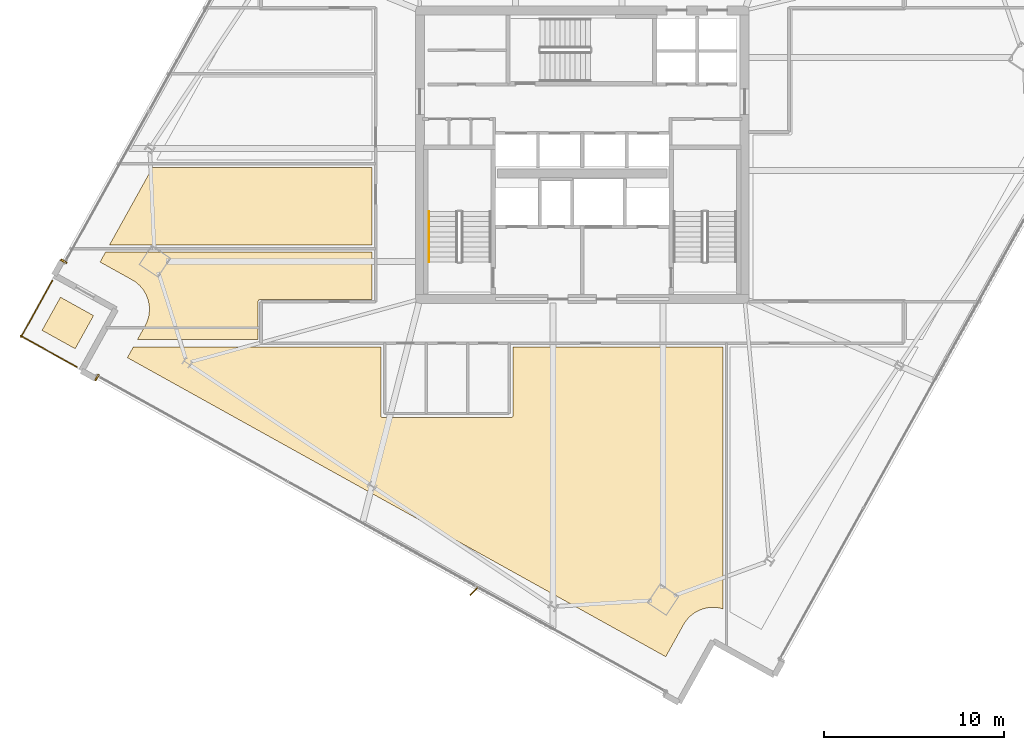
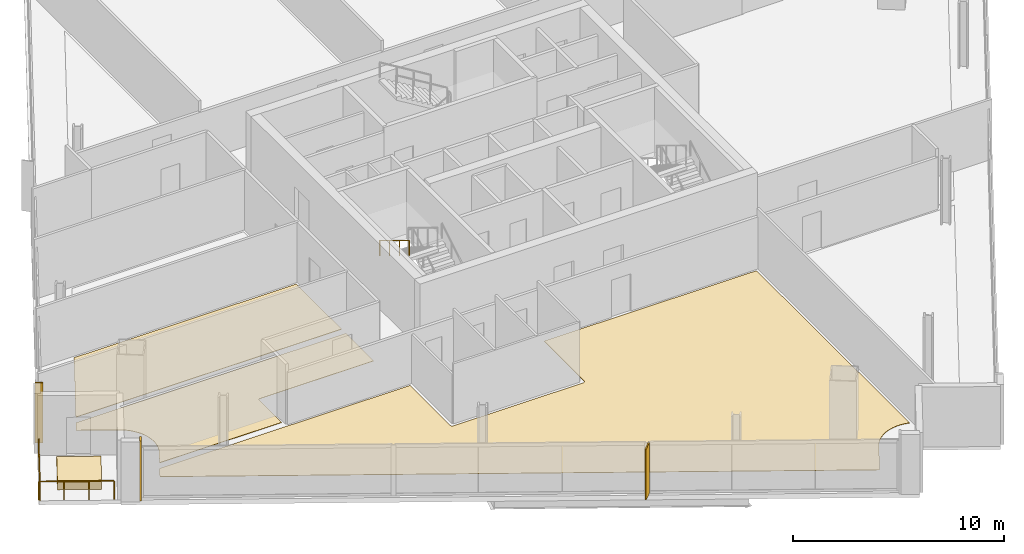
# One storey, part 24 of 28: 6 coverings, 3 railings, 1 shading device.
"""IFC4 building model written with IfcOpenShell, lengths in metres."""

from ifc_helpers import new_model, si_unit, direction, frame, origin, origin_2d, place, context, subcontext, project, spatial, polyline, rectangle, outline, extrude, source, transform, mapped, material, layer, layer_set, type_object, element, save


model = new_model("IFC4")

# Units and contexts
model_context = context("Model", 3, precision=1e-05, world=origin(), true_north=direction((0.0, 1.0)))
body_context = subcontext(model_context, "Body", "Model", "MODEL_VIEW")
ifc_project = project(units=[si_unit("LENGTHUNIT", "METRE"), si_unit("AREAUNIT", "SQUARE_METRE"), si_unit("VOLUMEUNIT", "CUBIC_METRE"), si_unit("PLANEANGLEUNIT", "RADIAN"), si_unit("MASSUNIT", "GRAM", prefix="KILO")], contexts=[model_context])

# Site, building, storey
site_placement = place(None, origin())
site = spatial("IfcSite", under=ifc_project, at=site_placement, CompositionType="ELEMENT")
building_placement = place(site_placement, origin())
building = spatial("IfcBuilding", under=site, at=building_placement, Name="Haldenkirk Collegiate Tower", CompositionType="ELEMENT")
storey_placement = place(building_placement, frame((0.0, 0.0, 232.199951171875)))
storey = spatial("IfcBuildingStorey", under=building, at=storey_placement, Name="L58", CompositionType="ELEMENT", Elevation=232.199951171875)

# Coverings
ifc_material_1 = material(Name="Polished collegiate terrazzo", Category="concrete")
ifc_layer_1 = layer(ifc_material_1, 0.02490234375)
ifc_layer_set_1 = layer_set([ifc_layer_1], Name="Polished collegiate terrazzo")
covering_type_1 = type_object("IfcCoveringType", Name="COV-FLOOR-TERRAZZO", PredefinedType="FLOORING", material=ifc_layer_set_1)
covering_1_placement = place(storey_placement, origin())
element("IfcCovering", 1, at=covering_1_placement, inside=storey, type_object=covering_type_1, Name="L58 academic room finish 08", PredefinedType="FLOORING", context=body_context, shape_type="SweptSolid", body=[
    extrude(outline(polyline([(12.183837890625, 25.300048828125), (24.35009765625, 25.300048828125), (24.35009765625, 21.0), (9.79541015625, 21.0), (12.183837890625, 25.300048828125)])), origin(), (0.0, 0.0, 1.0), 0.025146484375),
])
ifc_material_2 = material(Name="Engineered collegiate oak acoustic flooring", Category="wood")
ifc_layer_2 = layer(ifc_material_2, 0.02197265625)
ifc_layer_set_2 = layer_set([ifc_layer_2], Name="Engineered collegiate oak acoustic flooring")
covering_type_2 = type_object("IfcCoveringType", Name="COV-FLOOR-TIMBER", PredefinedType="FLOORING", material=ifc_layer_set_2)
covering_2_placement = place(storey_placement, origin())
element("IfcCovering", 2, at=covering_2_placement, inside=storey, type_object=covering_type_2, Name="L58 academic room finish 01", PredefinedType="FLOORING", context=body_context, shape_type="SweptSolid", body=[
    extrude(outline(polyline([(43.464599609375, 0.897216796875), (43.452880859375, 0.8984375), (43.281494140625, 0.90966796875), (43.269775390625, 0.909912109375), (43.09814453125, 0.904052734375), (43.08642578125, 0.9033203125), (42.916259765625, 0.880859375), (42.904541015625, 0.878662109375), (42.7373046875, 0.839599609375), (42.72607421875, 0.836181640625), (42.5634765625, 0.781005859375), (42.552490234375, 0.77685546875), (42.39599609375, 0.705810546875), (42.385498046875, 0.700439453125), (42.23681640625, 0.614501953125), (42.22705078125, 0.608154296875), (42.08740234375, 0.508056640625), (42.078125, 0.500732421875), (41.948974609375, 0.387451171875), (41.940673828125, 0.37939453125), (41.8232421875, 0.25390625), (41.815673828125, 0.2451171875), (41.711181640625, 0.108642578125), (41.704345703125, 0.09912109375), (41.61376953125, -0.046875), (41.610595703125, -0.052001953125), (40.625, -1.826416015625), (10.784423828125, 14.74853515625), (11.118408203125, 15.35009765625), (24.830078125, 15.35009765625), (24.830078125, 11.550048828125), (24.83056640625, 11.5380859375), (24.832275390625, 11.526611328125), (24.835205078125, 11.51513671875), (24.839111328125, 11.504150390625), (24.84423828125, 11.493408203125), (24.85009765625, 11.4833984375), (24.857177734375, 11.473876953125), (24.864990234375, 11.465087890625), (24.873779296875, 11.457275390625), (24.88330078125, 11.4501953125), (24.893310546875, 11.444091796875), (24.904052734375, 11.439208984375), (24.915283203125, 11.435302734375), (24.926513671875, 11.432373046875), (24.938232421875, 11.4306640625), (24.949951171875, 11.429931640625), (32.050048828125, 11.429931640625), (32.061767578125, 11.4306640625), (32.073486328125, 11.432373046875), (32.084716796875, 11.435302734375), (32.095947265625, 11.439208984375), (32.106689453125, 11.444091796875), (32.11669921875, 11.4501953125), (32.126220703125, 11.457275390625), (32.135009765625, 11.465087890625), (32.142822265625, 11.473876953125), (32.14990234375, 11.4833984375), (32.15576171875, 11.493408203125), (32.160888671875, 11.504150390625), (32.164794921875, 11.51513671875), (32.167724609375, 11.526611328125), (32.16943359375, 11.5380859375), (32.169921875, 11.550048828125), (32.169921875, 15.35009765625), (43.800048828125, 15.35009765625), (43.800048828125, 0.8251953125), (43.6455078125, 0.86669921875), (43.63427734375, 0.869140625), (43.464599609375, 0.897216796875)])), origin(), (0.0, 0.0, 1.0), 0.02197265625),
])
covering_3_placement = place(storey_placement, origin())
element("IfcCovering", 3, at=covering_3_placement, inside=storey, type_object=covering_type_2, Name="L58 academic room finish 07", PredefinedType="FLOORING", context=body_context, shape_type="SweptSolid", body=[
    extrude(outline(polyline([(11.8486328125, 16.6826171875), (11.853515625, 16.693359375), (11.913818359375, 16.85400390625), (11.91748046875, 16.865234375), (11.9619140625, 17.031005859375), (11.96435546875, 17.04248046875), (11.9921875, 17.2119140625), (11.99365234375, 17.223876953125), (12.0048828125, 17.395263671875), (12.0048828125, 17.406982421875), (11.999267578125, 17.57861328125), (11.998291015625, 17.590087890625), (11.97607421875, 17.760498046875), (11.973876953125, 17.772216796875), (11.934814453125, 17.939453125), (11.931396484375, 17.95068359375), (11.876220703125, 18.11328125), (11.8720703125, 18.124267578125), (11.801025390625, 18.280517578125), (11.795654296875, 18.291015625), (11.709716796875, 18.439697265625), (11.703369140625, 18.44970703125), (11.603271484375, 18.58935546875), (11.595947265625, 18.598388671875), (11.48291015625, 18.7275390625), (11.474609375, 18.736083984375), (11.34912109375, 18.853515625), (11.340087890625, 18.861083984375), (11.203857421875, 18.965576171875), (11.194091796875, 18.972412109375), (11.04833984375, 19.06298828125), (11.04345703125, 19.06591796875), (9.268798828125, 20.051513671875), (9.5732421875, 20.60009765625), (24.35009765625, 20.60009765625), (24.35009765625, 17.969970703125), (18.14990234375, 17.969970703125), (18.13818359375, 17.969482421875), (18.126708984375, 17.9677734375), (18.115234375, 17.96484375), (18.10400390625, 17.9609375), (18.093505859375, 17.955810546875), (18.083251953125, 17.94970703125), (18.073974609375, 17.94287109375), (18.065185546875, 17.934814453125), (18.05712890625, 17.926025390625), (18.05029296875, 17.916748046875), (18.044189453125, 17.906494140625), (18.0390625, 17.89599609375), (18.03515625, 17.884765625), (18.0322265625, 17.873291015625), (18.030517578125, 17.86181640625), (18.030029296875, 17.85009765625), (18.030029296875, 15.75), (11.340576171875, 15.75), (11.77001953125, 16.523193359375), (11.772705078125, 16.528564453125), (11.8486328125, 16.6826171875)])), origin(), (0.0, 0.0, 1.0), 0.02197265625),
])
ifc_material_3 = material(Name="Precast concrete f'c 40 MPa", Category="concrete")
ifc_layer_3 = layer(ifc_material_3, 0.449951171875)
ifc_layer_set_3 = layer_set([ifc_layer_3], Name="Precast concrete f'c 40 MPa")
covering_type_3 = type_object("IfcCoveringType", Name="COV-PLANTER-450", PredefinedType="USERDEFINED", material=ifc_layer_set_3)
covering_4_placement = place(storey_placement, origin())
element("IfcCovering", 4, at=covering_4_placement, inside=storey, type_object=covering_type_3, Name="L58 planted garden planter bed", ObjectType="PLANTER", PredefinedType="USERDEFINED", context=body_context, shape_type="SweptSolid", body=[
    extrude(outline(polyline([(7.891845703125, 15.24560546875), (6.055908203125, 16.265380859375), (7.07568359375, 18.10107421875), (8.91162109375, 17.081298828125), (7.891845703125, 15.24560546875)])), origin(), (0.0, 0.0, 1.0), 0.449951171875),
])

# Railings
ifc_material_4 = material(Name="Painted architectural tubular steel", Category="steel")
railing_type_1 = type_object("IfcRailingType", Name="RLG-STAIR-HANDRAIL-900", PredefinedType="HANDRAIL", material=ifc_material_4)
railing_1_placement = place(storey_placement, frame((27.5, 22.85009765625, 2.04541015625)))
element("IfcRailing", 5, at=railing_1_placement, inside=storey, type_object=railing_type_1, Name="L58 ST-1 stair handrail 2", PredefinedType="HANDRAIL", context=body_context, shape_type="SweptSolid", body=[
    extrude(rectangle(XDim=0.048095703125, YDim=0.048095703125, at=origin_2d()), frame((0.0, 0.0, 0.8759765625), z_axis=(0.0, -0.854169791009, 0.51999420009), x_axis=(1.0, 0.0, 0.0)), (0.0, 0.0, 1.0), 3.278076171875),
    extrude(rectangle(XDim=0.0419921875, YDim=0.0419921875, at=origin_2d()), origin(), (0.0, 0.0, 1.0), 0.851806640625),
    extrude(rectangle(XDim=0.0419921875, YDim=0.0419921875, at=origin_2d()), frame((0.0, -0.933349609375, 0.568115234375)), (0.0, 0.0, 1.0), 0.851806640625),
    extrude(rectangle(XDim=0.0419921875, YDim=0.0419921875, at=origin_2d()), frame((0.0, -1.86669921875, 1.136474609375)), (0.0, 0.0, 1.0), 0.851806640625),
    extrude(rectangle(XDim=0.0419921875, YDim=0.0419921875, at=origin_2d()), frame((0.0, -2.800048828125, 1.70458984375)), (0.0, 0.0, 1.0), 0.851806640625),
])
ifc_material_5 = material(Name="Anodised architectural bronze aluminium", Category="aluminium")
railing_type_2 = type_object("IfcRailingType", Name="RLG-TERR-BALUSTRADE-1100", PredefinedType="BALUSTRADE", material=ifc_material_5)
railing_2_placement = place(storey_placement, frame((6.623046875, 19.01611328125, 0.0)))
element("IfcRailing", 6, at=railing_2_placement, inside=storey, type_object=railing_type_2, Name="L58 terrace guard balustrade 3-1", PredefinedType="BALUSTRADE", context=body_context, shape_type="SweptSolid", body=[
    extrude(rectangle(XDim=0.048095703125, YDim=0.048095703125, at=origin_2d()), frame((0.0, 0.0, 1.076171875), z_axis=(-0.485556075286, -0.874205523749, 0.0), x_axis=(0.874205523749, -0.485556075286, 0.0)), (0.0, 0.0, 1.0), 3.580078125),
    extrude(rectangle(XDim=0.0419921875, YDim=0.0419921875, at=origin_2d()), origin(), (0.0, 0.0, 1.0), 1.052001953125),
    extrude(rectangle(XDim=0.0419921875, YDim=0.0419921875, at=origin_2d()), frame((-0.579345703125, -1.043212890625, 0.0)), (0.0, 0.0, 1.0), 1.052001953125),
    extrude(rectangle(XDim=0.0419921875, YDim=0.0419921875, at=origin_2d()), frame((-1.158935546875, -2.08642578125, 0.0)), (0.0, 0.0, 1.0), 1.052001953125),
    extrude(rectangle(XDim=0.0419921875, YDim=0.0419921875, at=origin_2d()), frame((-1.73828125, -3.129638671875, 0.0)), (0.0, 0.0, 1.0), 1.052001953125),
])
railing_3_placement = place(storey_placement, frame((4.861328125, 15.968017578125, 0.0)))
element("IfcRailing", 7, at=railing_3_placement, inside=storey, type_object=railing_type_2, Name="L58 terrace guard balustrade 4-1", PredefinedType="BALUSTRADE", context=body_context, shape_type="SweptSolid", body=[
    extrude(rectangle(XDim=0.048095703125, YDim=0.048095703125, at=origin_2d()), frame((0.0, 0.0, 1.076171875), z_axis=(0.874176575569, -0.485608190547, 0.0), x_axis=(0.485608190547, 0.874176575569, 0.0)), (0.0, 0.0, 1.0), 3.580078125),
    extrude(rectangle(XDim=0.0419921875, YDim=0.0419921875, at=origin_2d()), origin(), (0.0, 0.0, 1.0), 1.052001953125),
    extrude(rectangle(XDim=0.0419921875, YDim=0.0419921875, at=origin_2d()), frame((1.043212890625, -0.57958984375, 0.0)), (0.0, 0.0, 1.0), 1.052001953125),
    extrude(rectangle(XDim=0.0419921875, YDim=0.0419921875, at=origin_2d()), frame((2.08642578125, -1.158935546875, 0.0)), (0.0, 0.0, 1.0), 1.052001953125),
    extrude(rectangle(XDim=0.0419921875, YDim=0.0419921875, at=origin_2d()), frame((3.129638671875, -1.738525390625, 0.0)), (0.0, 0.0, 1.0), 1.052001953125),
])

# Coverings
ifc_layer_4 = layer(ifc_material_5, 0.06005859375)
ifc_layer_set_4 = layer_set([ifc_layer_4], Name="Anodised architectural bronze aluminium")
covering_type_4 = type_object("IfcCoveringType", Name="COV-CLAD-BRONZE-60", PredefinedType="CLADDING", material=ifc_layer_set_4)
shared_shape_1 = source(origin(), body_context, "Body", "SweptSolid", [
    extrude(rectangle(XDim=0.10009765625, YDim=0.3798828125, at=origin_2d()), origin(), (0.0, 0.0, 1.0), 3.469970703125),
])
for number, where, z_axis, x_axis, name in (
    (8, (7.256103515625, 20.09423828125, 0.0), (0.0, 0.0, 1.0), (0.485572685227, 0.874196297957, 0.0), "L58 recessed curtain-wall bronze jamb closure NJL"),
    (9, (9.098388671875, 13.64892578125, 0.0), (0.0, 0.0, 1.0), (-0.874196297957, 0.485572685227, 0.0), "L58 recessed curtain-wall bronze jamb closure WJR"),
):
    element("IfcCovering", number, at=place(storey_placement, frame(where, z_axis=z_axis, x_axis=x_axis)), inside=storey, type_object=covering_type_4, Name=name, PredefinedType="CLADDING", context=body_context, shape_type="MappedRepresentation", body=[
        mapped(shared_shape_1, transform((0.0, 0.0, 0.0), x_axis=(1.0, 0.0, 0.0), y_axis=(0.0, 1.0, 0.0), z_axis=(0.0, 0.0, 1.0), scale=1.0)),
    ])

# Shading device
ifc_layer_5 = layer(ifc_material_5, 0.06494140625)
ifc_layer_set_5 = layer_set([ifc_layer_5], Name="Anodised architectural bronze aluminium")
shading_device_type = type_object("IfcShadingDeviceType", Name="SHD-FIN-BRONZE-620", PredefinedType="USERDEFINED", material=ifc_layer_set_5)
shared_shape_2 = source(origin(), body_context, "Body", "SweptSolid", [
    extrude(rectangle(XDim=0.6201171875, YDim=0.06494140625, at=origin_2d()), origin(), (0.0, 0.0, 1.0), 2.927978515625),
])
shading_device_placement = place(storey_placement, frame((29.9970703125, 1.80615234375, 0.0), z_axis=(0.0, 0.0, 1.0), x_axis=(-0.707723578937, -0.706489444944, 0.0)))
element("IfcShadingDevice", 10, at=shading_device_placement, inside=storey, type_object=shading_device_type, Name="L58 folded bronze solar fin 1", ObjectType="FIN", PredefinedType="USERDEFINED", context=body_context, shape_type="MappedRepresentation", body=[
    mapped(shared_shape_2, transform((0.0, 0.0, 0.0), x_axis=(1.0, 0.0, 0.0), y_axis=(0.0, 1.0, 0.0), z_axis=(0.0, 0.0, 1.0), scale=1.0)),
])

save(model, "model.ifc")
